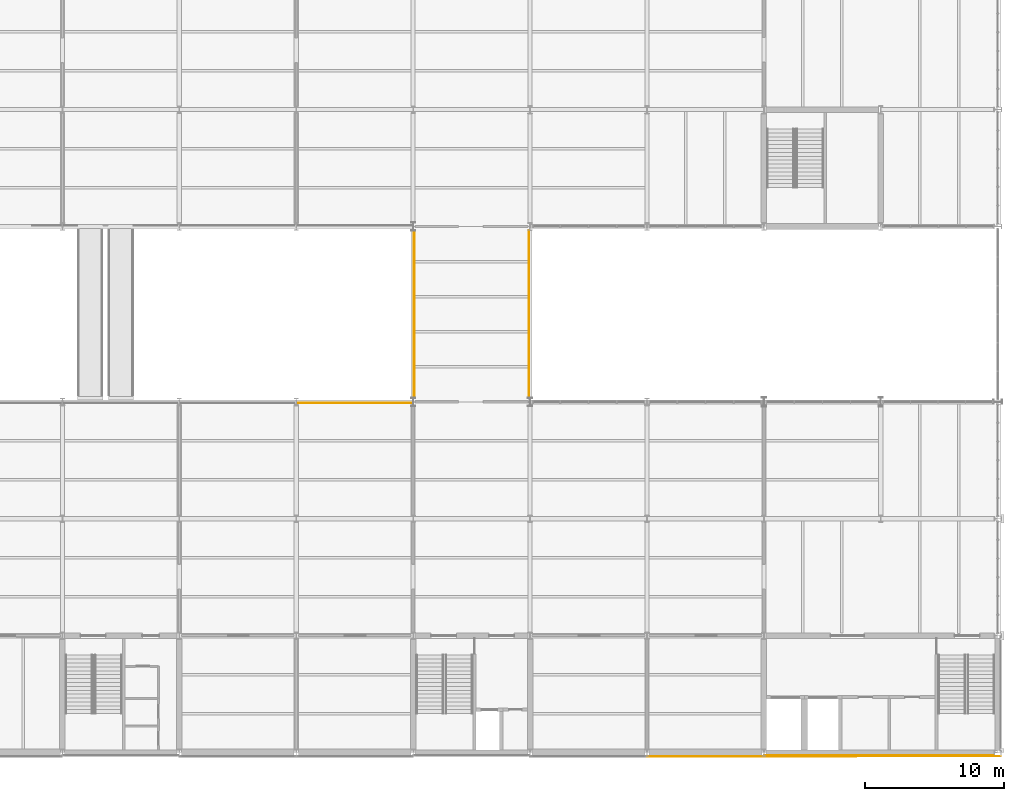
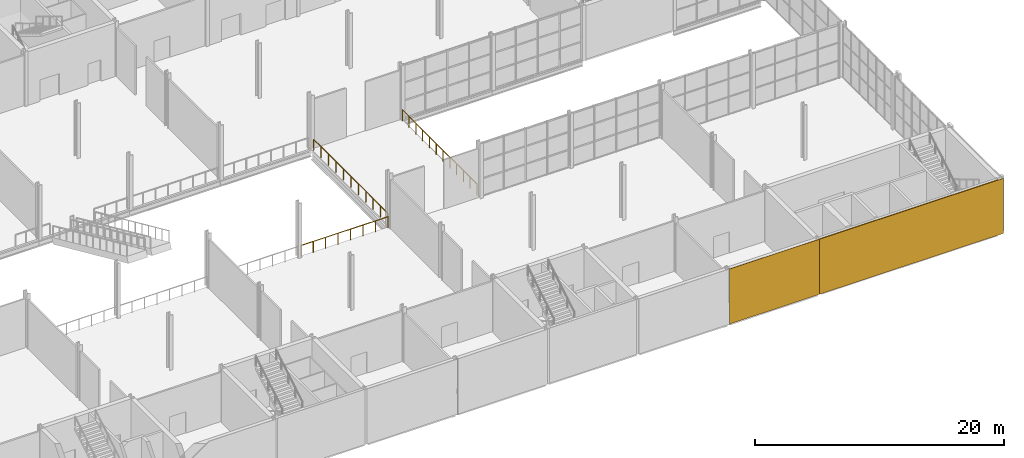
# One storey, part 59 of 64: 3 coverings, 3 railings.
"""IFC4 building model written with IfcOpenShell, lengths in metres."""

from ifc_helpers import new_model, si_unit, direction, frame, origin, origin_2d, place, context, subcontext, project, spatial, rectangle, circle, extrude, material, layer, layer_set, type_object, element, save


model = new_model("IFC4")

# Units and contexts
model_context = context("Model", 3, precision=1e-05, world=origin(), true_north=direction((0.0, 1.0)))
body_context = subcontext(model_context, "Body", "Model", "MODEL_VIEW")
ifc_project = project(units=[si_unit("LENGTHUNIT", "METRE"), si_unit("AREAUNIT", "SQUARE_METRE"), si_unit("VOLUMEUNIT", "CUBIC_METRE"), si_unit("PLANEANGLEUNIT", "RADIAN"), si_unit("MASSUNIT", "GRAM", prefix="KILO")], contexts=[model_context])

# Site, building, storey
site_placement = place(None, origin())
site = spatial("IfcSite", under=ifc_project, at=site_placement, CompositionType="ELEMENT")
building_placement = place(site_placement, origin())
building = spatial("IfcBuilding", under=site, at=building_placement, Name="Galleria Vessillo Department Store", CompositionType="ELEMENT")
storey_placement = place(building_placement, frame((0.0, 0.0, 6.0)))
storey = spatial("IfcBuildingStorey", under=building, at=storey_placement, Name="L01", CompositionType="ELEMENT", Elevation=6.0)

# Railings
ifc_material_1 = material(Name="Stainless steel tube", Category="steel")
railing_type = type_object("IfcRailingType", Name="Atrium edge guard 1100 mm", PredefinedType="GUARDRAIL", material=ifc_material_1)
railing_1_placement = place(storey_placement, frame((67.35302734375, 25.119873046875, 0.0)))
element("IfcRailing", 1, at=railing_1_placement, inside=storey, type_object=railing_type, Name="Atrium edge guard L01-04", PredefinedType="GUARDRAIL", context=body_context, shape_type="SweptSolid", body=[
    extrude(circle(Radius=0.02392578125, at=origin_2d()), frame((0.0, 0.0, 1.076171875), z_axis=(1.0, 0.0, 0.0), x_axis=(0.0, 1.0, 0.0)), (0.0, 0.0, 1.0), 8.094482421875),
    extrude(circle(Radius=0.02099609375, at=origin_2d()), origin(), (0.0, 0.0, 1.0), 1.052001953125),
    extrude(circle(Radius=0.02099609375, at=origin_2d()), frame((1.15625, 0.0, 0.0)), (0.0, 0.0, 1.0), 1.052001953125),
    extrude(circle(Radius=0.02099609375, at=origin_2d()), frame((2.312744140625, 0.0, 0.0)), (0.0, 0.0, 1.0), 1.052001953125),
    extrude(circle(Radius=0.02099609375, at=origin_2d()), frame((3.468994140625, 0.0, 0.0)), (0.0, 0.0, 1.0), 1.052001953125),
    extrude(circle(Radius=0.02099609375, at=origin_2d()), frame((4.62548828125, 0.0, 0.0)), (0.0, 0.0, 1.0), 1.052001953125),
    extrude(circle(Radius=0.02099609375, at=origin_2d()), frame((5.78173828125, 0.0, 0.0)), (0.0, 0.0, 1.0), 1.052001953125),
    extrude(circle(Radius=0.02099609375, at=origin_2d()), frame((6.938232421875, 0.0, 0.0)), (0.0, 0.0, 1.0), 1.052001953125),
    extrude(circle(Radius=0.02099609375, at=origin_2d()), frame((8.094482421875, 0.0, 0.0)), (0.0, 0.0, 1.0), 1.052001953125),
])
railing_2_placement = place(storey_placement, frame((75.68017578125, 25.510009765625, 0.0)))
element("IfcRailing", 2, at=railing_2_placement, inside=storey, type_object=railing_type, Name="Atrium edge guard L01-14", PredefinedType="GUARDRAIL", context=body_context, shape_type="SweptSolid", body=[
    extrude(circle(Radius=0.02392578125, at=origin_2d()), frame((0.0, 0.0, 1.076171875), z_axis=(0.0, 1.0, 0.0), x_axis=(-1.0, 0.0, 0.0)), (0.0, 0.0, 1.0), 11.97998046875),
    extrude(circle(Radius=0.02099609375, at=origin_2d()), origin(), (0.0, 0.0, 1.0), 1.052001953125),
    extrude(circle(Radius=0.02099609375, at=origin_2d()), frame((0.0, 1.197998046875, 0.0)), (0.0, 0.0, 1.0), 1.052001953125),
    extrude(circle(Radius=0.02099609375, at=origin_2d()), frame((0.0, 2.39599609375, 0.0)), (0.0, 0.0, 1.0), 1.052001953125),
    extrude(circle(Radius=0.02099609375, at=origin_2d()), frame((0.0, 3.593994140625, 0.0)), (0.0, 0.0, 1.0), 1.052001953125),
    extrude(circle(Radius=0.02099609375, at=origin_2d()), frame((0.0, 4.7919921875, 0.0)), (0.0, 0.0, 1.0), 1.052001953125),
    extrude(circle(Radius=0.02099609375, at=origin_2d()), frame((0.0, 5.989990234375, 0.0)), (0.0, 0.0, 1.0), 1.052001953125),
    extrude(circle(Radius=0.02099609375, at=origin_2d()), frame((0.0, 7.18798828125, 0.0)), (0.0, 0.0, 1.0), 1.052001953125),
    extrude(circle(Radius=0.02099609375, at=origin_2d()), frame((0.0, 8.385986328125, 0.0)), (0.0, 0.0, 1.0), 1.052001953125),
    extrude(circle(Radius=0.02099609375, at=origin_2d()), frame((0.0, 9.583984375, 0.0)), (0.0, 0.0, 1.0), 1.052001953125),
    extrude(circle(Radius=0.02099609375, at=origin_2d()), frame((0.0, 10.781982421875, 0.0)), (0.0, 0.0, 1.0), 1.052001953125),
    extrude(circle(Radius=0.02099609375, at=origin_2d()), frame((0.0, 11.97998046875, 0.0)), (0.0, 0.0, 1.0), 1.052001953125),
])
railing_3_placement = place(storey_placement, frame((83.919921875, 25.510009765625, 0.0)))
element("IfcRailing", 3, at=railing_3_placement, inside=storey, type_object=railing_type, Name="Atrium edge guard L01-15", PredefinedType="GUARDRAIL", context=body_context, shape_type="SweptSolid", body=[
    extrude(circle(Radius=0.02392578125, at=origin_2d()), frame((0.0, 0.0, 1.076171875), z_axis=(0.0, 1.0, 0.0), x_axis=(-1.0, 0.0, 0.0)), (0.0, 0.0, 1.0), 12.00390625),
    extrude(circle(Radius=0.02099609375, at=origin_2d()), origin(), (0.0, 0.0, 1.0), 1.052001953125),
    extrude(circle(Radius=0.02099609375, at=origin_2d()), frame((0.0, 1.09130859375, 0.0)), (0.0, 0.0, 1.0), 1.052001953125),
    extrude(circle(Radius=0.02099609375, at=origin_2d()), frame((0.0, 2.1826171875, 0.0)), (0.0, 0.0, 1.0), 1.052001953125),
    extrude(circle(Radius=0.02099609375, at=origin_2d()), frame((0.0, 3.273681640625, 0.0)), (0.0, 0.0, 1.0), 1.052001953125),
    extrude(circle(Radius=0.02099609375, at=origin_2d()), frame((0.0, 4.364990234375, 0.0)), (0.0, 0.0, 1.0), 1.052001953125),
    extrude(circle(Radius=0.02099609375, at=origin_2d()), frame((0.0, 5.456298828125, 0.0)), (0.0, 0.0, 1.0), 1.052001953125),
    extrude(circle(Radius=0.02099609375, at=origin_2d()), frame((0.0, 6.547607421875, 0.0)), (0.0, 0.0, 1.0), 1.052001953125),
    extrude(circle(Radius=0.02099609375, at=origin_2d()), frame((0.0, 7.638916015625, 0.0)), (0.0, 0.0, 1.0), 1.052001953125),
    extrude(circle(Radius=0.02099609375, at=origin_2d()), frame((0.0, 8.730224609375, 0.0)), (0.0, 0.0, 1.0), 1.052001953125),
    extrude(circle(Radius=0.02099609375, at=origin_2d()), frame((0.0, 9.8212890625, 0.0)), (0.0, 0.0, 1.0), 1.052001953125),
    extrude(circle(Radius=0.02099609375, at=origin_2d()), frame((0.0, 10.91259765625, 0.0)), (0.0, 0.0, 1.0), 1.052001953125),
    extrude(circle(Radius=0.02099609375, at=origin_2d()), frame((0.0, 12.00390625, 0.0)), (0.0, 0.0, 1.0), 1.052001953125),
])

# Coverings
ifc_material_2 = material(Name="Lime plaster (intonaco) ochre")
ifc_layer = layer(ifc_material_2, 0.030029296875)
ifc_layer_set = layer_set([ifc_layer], Name="Lime plaster (intonaco) ochre")
covering_type = type_object("IfcCoveringType", Name="Lime plaster render 30 mm", PredefinedType="CLADDING", material=ifc_layer_set)
covering_1_placement = place(storey_placement, frame((96.60009765625, -0.264892578125, 0.0), z_axis=(0.0, 0.0, 1.0), x_axis=(1.0, 0.0, 0.0)))
element("IfcCovering", 4, at=covering_1_placement, inside=storey, type_object=covering_type, Name="Wall cladding S-PS-L01-08", PredefinedType="CLADDING", context=body_context, shape_type="SweptSolid", body=[
    extrude(rectangle(XDim=8.34033203125, YDim=0.030029296875, at=origin_2d()), origin(), (0.0, 0.0, 1.0), 5.39990234375),
])
covering_2_placement = place(storey_placement, frame((109.090087890625, -0.215087890625, 0.0), z_axis=(0.0, 0.0, 1.0), x_axis=(1.0, 0.0, 0.0)))
element("IfcCovering", 5, at=covering_2_placement, inside=storey, type_object=covering_type, Name="Wall cladding S-CW-GC-PARTY-L01", PredefinedType="CLADDING", context=body_context, shape_type="SweptSolid", body=[
    extrude(rectangle(XDim=16.52001953125, YDim=0.030029296875, at=origin_2d()), origin(), (0.0, 0.0, 1.0), 5.39990234375),
])
covering_3_placement = place(storey_placement, frame((109.300048828125, -0.264892578125, 0.0), z_axis=(0.0, 0.0, 1.0), x_axis=(1.0, 0.0, 0.0)))
element("IfcCovering", 6, at=covering_3_placement, inside=storey, type_object=covering_type, Name="Corner cladding L01 y=0 south/north face", PredefinedType="CLADDING", context=body_context, shape_type="SweptSolid", body=[
    extrude(rectangle(XDim=17.059814453125, YDim=0.030029296875, at=origin_2d()), origin(), (0.0, 0.0, 1.0), 5.39990234375),
])

save(model, "model.ifc")
